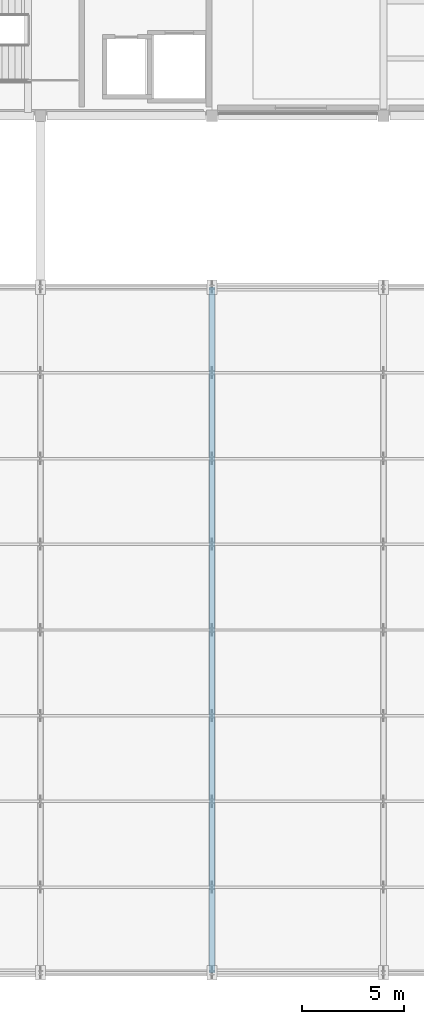
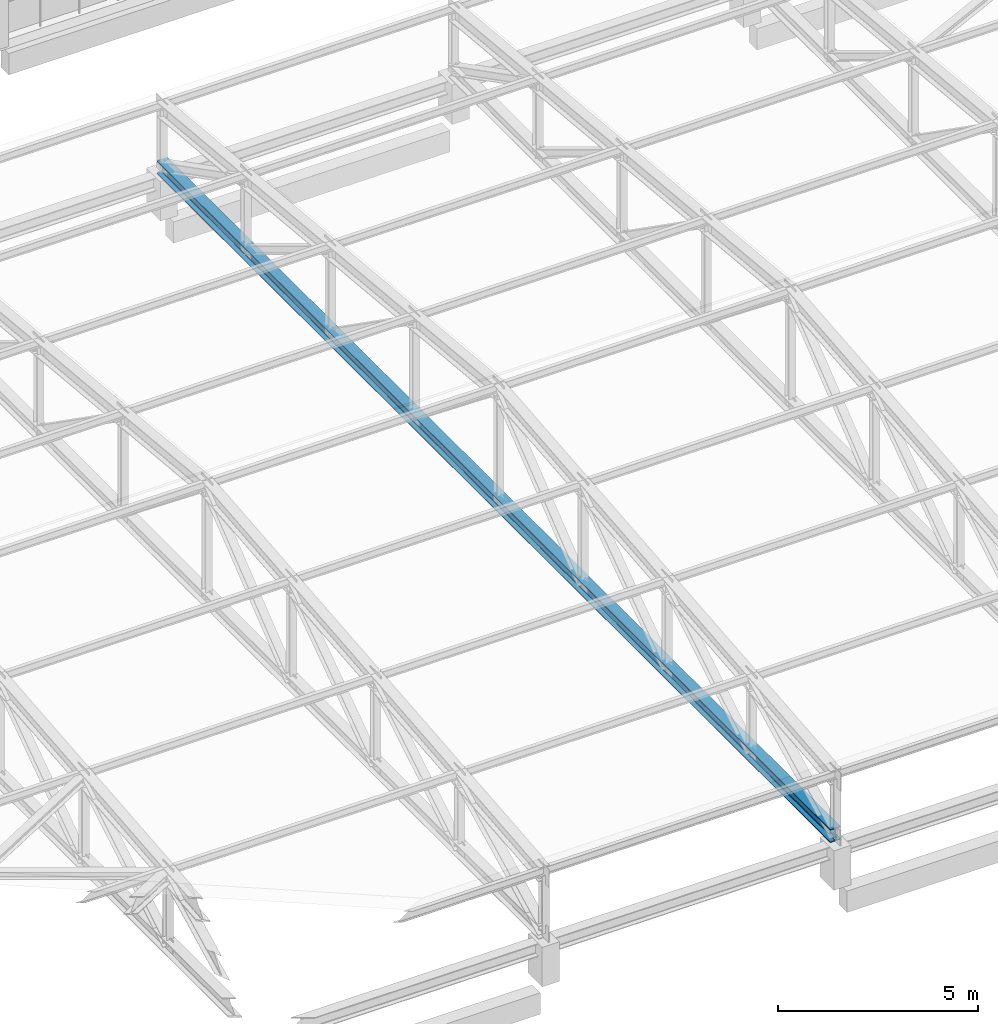
# One storey, part 18 of 74: 1 beam.
"""IFC4 building model written with IfcOpenShell, lengths in metres."""

from ifc_helpers import new_model, si_unit, derived_unit, direction, frame, origin, origin_2d, place, context, subcontext, project, spatial, i_section, extrude, material, material_profile, profile_set, type_object, element, save


model = new_model("IFC4")

# Units and contexts
model_context = context("Model", 3, precision=1e-05, world=origin(), true_north=direction((0.0, 1.0)))
body_context = subcontext(model_context, "Body", "Model", "MODEL_VIEW")
ifc_project = project(units=[si_unit("LENGTHUNIT", "METRE"), si_unit("AREAUNIT", "SQUARE_METRE"), si_unit("VOLUMEUNIT", "CUBIC_METRE"), si_unit("PLANEANGLEUNIT", "RADIAN"), si_unit("MASSUNIT", "GRAM", prefix="KILO"), derived_unit("THERMALTRANSMITTANCEUNIT", [(si_unit("POWERUNIT", "WATT"), 1), (si_unit("LENGTHUNIT", "METRE"), -2), (si_unit("THERMODYNAMICTEMPERATUREUNIT", "KELVIN"), -1)])], contexts=[model_context])

# Site, building, storey
site_placement = place(None, origin())
site = spatial("IfcSite", under=ifc_project, at=site_placement, CompositionType="ELEMENT")
building_placement = place(site_placement, origin())
building = spatial("IfcBuilding", under=site, at=building_placement, Name="Elbkamm Science Centre", CompositionType="ELEMENT")
storey_placement = place(building_placement, frame((0.0, 0.0, 14.39990234375)))
storey = spatial("IfcBuildingStorey", under=building, at=storey_placement, Name="L03", CompositionType="ELEMENT", Elevation=14.39990234375)

# Beam
ifc_material = material(Name="Steel EN 10025-2 S355J2", Category="steel")
ifc_material_profile = material_profile(ifc_material, i_section(OverallWidth=0.300048828125, OverallDepth=0.39990234375, WebThickness=0.013427734375, FlangeThickness=0.02392578125, FilletRadius=0.027099609375, at=origin_2d()), Name="HEB 400")
ifc_profile_set = profile_set([ifc_material_profile], Name="Steel EN 10025-2 S355J2")
beam_type = type_object("IfcBeamType", Name="BM-STL-HEB400", PredefinedType="BEAM", material=ifc_profile_set)
beam_placement = place(storey_placement, frame((92.39990234375, 0.0, 1.400146484375), z_axis=(0.0, 1.0, 0.0), x_axis=(-1.0, 0.0, 0.0)))
element("IfcBeam", 1, at=beam_placement, inside=storey, type_object=beam_type, Name="Theatre Steel Truss 04 Continuous Bottom Tie Chord", PredefinedType="BEAM", context=body_context, shape_type="SweptSolid", body=[
    extrude(i_section(OverallWidth=0.300048828125, OverallDepth=0.39990234375, WebThickness=0.013427734375, FlangeThickness=0.02392578125, FilletRadius=0.027099609375, at=origin_2d()), origin(), (0.0, 0.0, 1.0), 33.60009765625),
])

save(model, "model.ifc")
